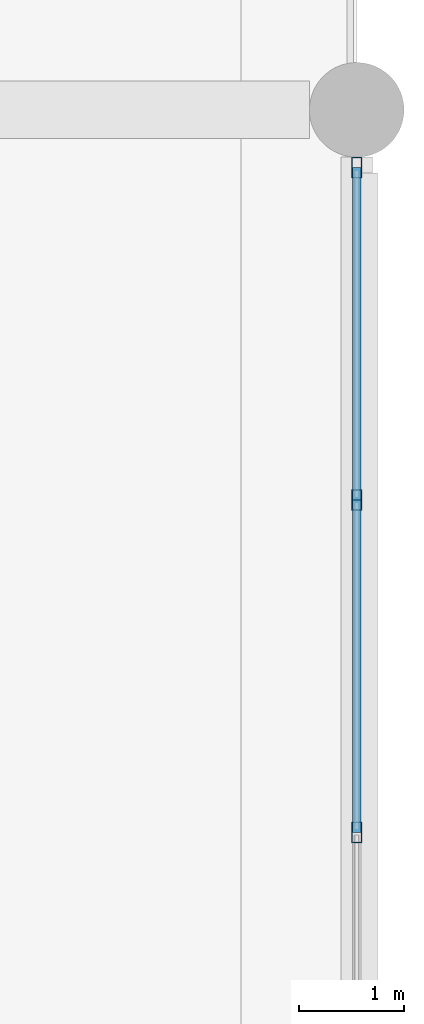
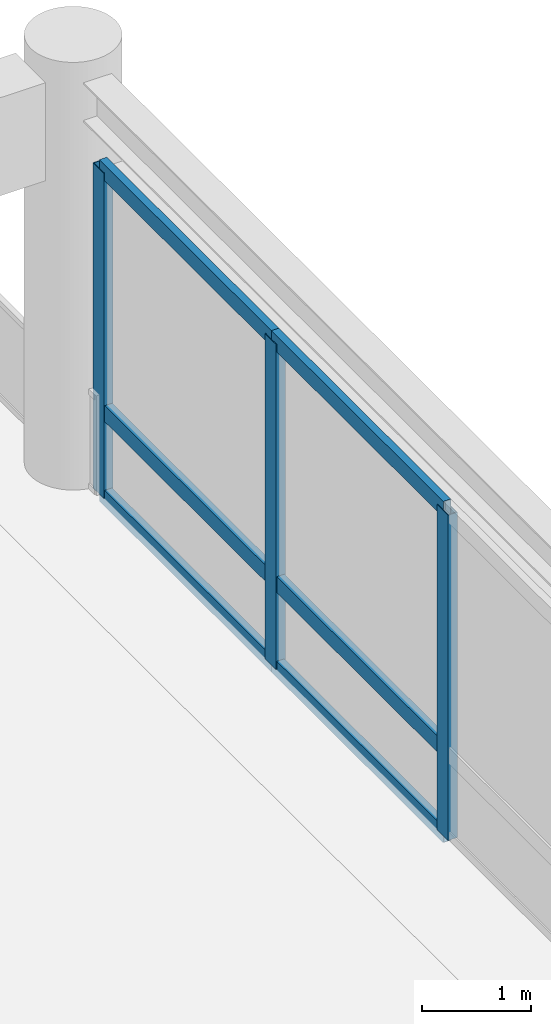
# One storey, part 48 of 91: 9 members, 1 element without a shape of its own.
"""IFC4 building model written with IfcOpenShell, lengths in metres."""

from ifc_helpers import new_model, si_unit, direction, frame, origin, origin_2d, place, context, subcontext, project, spatial, hollow_rectangle, extrude, material, material_profile, profile_set, type_object, element, aggregate, save


model = new_model("IFC4")

# Units and contexts
model_context = context("Model", 3, precision=1e-05, world=origin(), true_north=direction((0.0, 1.0)))
body_context = subcontext(model_context, "Body", "Model", "MODEL_VIEW")
ifc_project = project(units=[si_unit("LENGTHUNIT", "METRE"), si_unit("AREAUNIT", "SQUARE_METRE"), si_unit("VOLUMEUNIT", "CUBIC_METRE"), si_unit("PLANEANGLEUNIT", "RADIAN"), si_unit("MASSUNIT", "GRAM", prefix="KILO")], contexts=[model_context])

# Site, building, storey
site_placement = place(None, origin())
site = spatial("IfcSite", under=ifc_project, at=site_placement, CompositionType="ELEMENT")
building_placement = place(site_placement, origin())
building = spatial("IfcBuilding", under=site, at=building_placement, Name="Linyun Crest Stadium", CompositionType="ELEMENT")
storey_placement = place(building_placement, frame((0.0, 0.0, 11.39990234375)))
storey = spatial("IfcBuildingStorey", under=building, at=storey_placement, Name="L03", CompositionType="ELEMENT", Elevation=11.39990234375)

# Curtain wall, members
ifc_material_1 = material(Name="Verdigris steel and low-E curtain wall assembly", Category="steel")
curtain_wall_type = type_object("IfcCurtainWallType", Name="MCW02", PredefinedType="NOTDEFINED", material=ifc_material_1)
curtain_wall_placement = place(storey_placement, origin())
curtain_wall = element("IfcCurtainWall", 1, at=curtain_wall_placement, inside=storey, type_object=curtain_wall_type, Name="CWR-124", PredefinedType="NOTDEFINED")
ifc_material_2 = material(Name="Verdigris painted steel Q355C mullion", Category="steel")
ifc_material_profile_1 = material_profile(ifc_material_2, hollow_rectangle(XDim=0.10009765625, YDim=0.199951171875, WallThickness=0.008056640625, at=origin_2d()), Name="RHS 200x100x8")
ifc_profile_set_1 = profile_set([ifc_material_profile_1], Name="Verdigris painted steel Q355C mullion")
member_type_1 = type_object("IfcMemberType", Name="ML03", PredefinedType="MULLION", material=ifc_profile_set_1)
member_1_placement = place(storey_placement, frame((98.0, 36.5, 0.0), z_axis=(0.0, 0.0, 1.0), x_axis=(-1.0, 0.0, 0.0)))
member_1 = element("IfcMember", 2, at=member_1_placement, type_object=member_type_1, Name="CWR-124 mullion 3", PredefinedType="MULLION", context=body_context, shape_type="SweptSolid", body=[
    extrude(hollow_rectangle(XDim=0.10009765625, YDim=0.199951171875, WallThickness=0.008056640625, at=origin_2d()), origin(), (0.0, 0.0, 1.0), 3.650146484375),
])
member_2_placement = place(storey_placement, frame((98.0, 39.662109375, 0.0), z_axis=(0.0, 0.0, 1.0), x_axis=(-1.0, 0.0, 0.0)))
member_2 = element("IfcMember", 3, at=member_2_placement, type_object=member_type_1, Name="CWR-124 mullion 4", PredefinedType="MULLION", context=body_context, shape_type="SweptSolid", body=[
    extrude(hollow_rectangle(XDim=0.10009765625, YDim=0.199951171875, WallThickness=0.008056640625, at=origin_2d()), origin(), (0.0, 0.0, 1.0), 3.650146484375),
])
member_3_placement = place(storey_placement, frame((98.0, 42.824951171875, 0.0), z_axis=(0.0, 0.0, 1.0), x_axis=(-1.0, 0.0, 0.0)))
member_3 = element("IfcMember", 4, at=member_3_placement, type_object=member_type_1, Name="CWR-124 mullion 5", PredefinedType="MULLION", context=body_context, shape_type="SweptSolid", body=[
    extrude(hollow_rectangle(XDim=0.10009765625, YDim=0.199951171875, WallThickness=0.008056640625, at=origin_2d()), origin(), (0.0, 0.0, 1.0), 3.650146484375),
])
ifc_material_3 = material(Name="Verdigris painted steel Q355B transom", Category="steel")
ifc_material_profile_2 = material_profile(ifc_material_3, hollow_rectangle(XDim=0.080078125, YDim=0.179931640625, WallThickness=0.006103515625, at=origin_2d()), Name="RHS 180x80x6")
ifc_profile_set_2 = profile_set([ifc_material_profile_2], Name="Verdigris painted steel Q355B transom")
member_type_2 = type_object("IfcMemberType", Name="TR02", PredefinedType="USERDEFINED", material=ifc_profile_set_2)
member_4_placement = place(storey_placement, frame((98.0, 36.5, 0.0), z_axis=(0.0, 1.0, 0.0), x_axis=(-1.0, 0.0, 0.0)))
member_4 = element("IfcMember", 5, at=member_4_placement, type_object=member_type_2, Name="CWR-124 transom 3.1", ObjectType="TRANSOM", PredefinedType="USERDEFINED", context=body_context, shape_type="SweptSolid", body=[
    extrude(hollow_rectangle(XDim=0.080078125, YDim=0.179931640625, WallThickness=0.006103515625, at=origin_2d()), origin(), (0.0, 0.0, 1.0), 3.162109375),
])
member_5_placement = place(storey_placement, frame((98.0, 36.5, 0.9501953125), z_axis=(0.0, 1.0, 0.0), x_axis=(-1.0, 0.0, 0.0)))
member_5 = element("IfcMember", 6, at=member_5_placement, type_object=member_type_2, Name="CWR-124 transom 3.2", ObjectType="TRANSOM", PredefinedType="USERDEFINED", context=body_context, shape_type="SweptSolid", body=[
    extrude(hollow_rectangle(XDim=0.080078125, YDim=0.179931640625, WallThickness=0.006103515625, at=origin_2d()), origin(), (0.0, 0.0, 1.0), 3.162109375),
])
member_6_placement = place(storey_placement, frame((98.0, 36.5, 3.650146484375), z_axis=(0.0, 1.0, 0.0), x_axis=(-1.0, 0.0, 0.0)))
member_6 = element("IfcMember", 7, at=member_6_placement, type_object=member_type_2, Name="CWR-124 transom 3.3", ObjectType="TRANSOM", PredefinedType="USERDEFINED", context=body_context, shape_type="SweptSolid", body=[
    extrude(hollow_rectangle(XDim=0.080078125, YDim=0.179931640625, WallThickness=0.006103515625, at=origin_2d()), origin(), (0.0, 0.0, 1.0), 3.162109375),
])
member_7_placement = place(storey_placement, frame((98.0, 39.662109375, 0.0), z_axis=(0.0, 1.0, 0.0), x_axis=(-1.0, 0.0, 0.0)))
member_7 = element("IfcMember", 8, at=member_7_placement, type_object=member_type_2, Name="CWR-124 transom 4.1", ObjectType="TRANSOM", PredefinedType="USERDEFINED", context=body_context, shape_type="SweptSolid", body=[
    extrude(hollow_rectangle(XDim=0.080078125, YDim=0.179931640625, WallThickness=0.006103515625, at=origin_2d()), origin(), (0.0, 0.0, 1.0), 3.162841796875),
])
member_8_placement = place(storey_placement, frame((98.0, 39.662109375, 0.9501953125), z_axis=(0.0, 1.0, 0.0), x_axis=(-1.0, 0.0, 0.0)))
member_8 = element("IfcMember", 9, at=member_8_placement, type_object=member_type_2, Name="CWR-124 transom 4.2", ObjectType="TRANSOM", PredefinedType="USERDEFINED", context=body_context, shape_type="SweptSolid", body=[
    extrude(hollow_rectangle(XDim=0.080078125, YDim=0.179931640625, WallThickness=0.006103515625, at=origin_2d()), origin(), (0.0, 0.0, 1.0), 3.162841796875),
])
member_9_placement = place(storey_placement, frame((98.0, 39.662109375, 3.650146484375), z_axis=(0.0, 1.0, 0.0), x_axis=(-1.0, 0.0, 0.0)))
member_9 = element("IfcMember", 10, at=member_9_placement, type_object=member_type_2, Name="CWR-124 transom 4.3", ObjectType="TRANSOM", PredefinedType="USERDEFINED", context=body_context, shape_type="SweptSolid", body=[
    extrude(hollow_rectangle(XDim=0.080078125, YDim=0.179931640625, WallThickness=0.006103515625, at=origin_2d()), origin(), (0.0, 0.0, 1.0), 3.162841796875),
])
aggregate(curtain_wall, [member_1, member_2, member_3, member_4, member_5, member_6, member_7, member_8, member_9])

save(model, "model.ifc")
